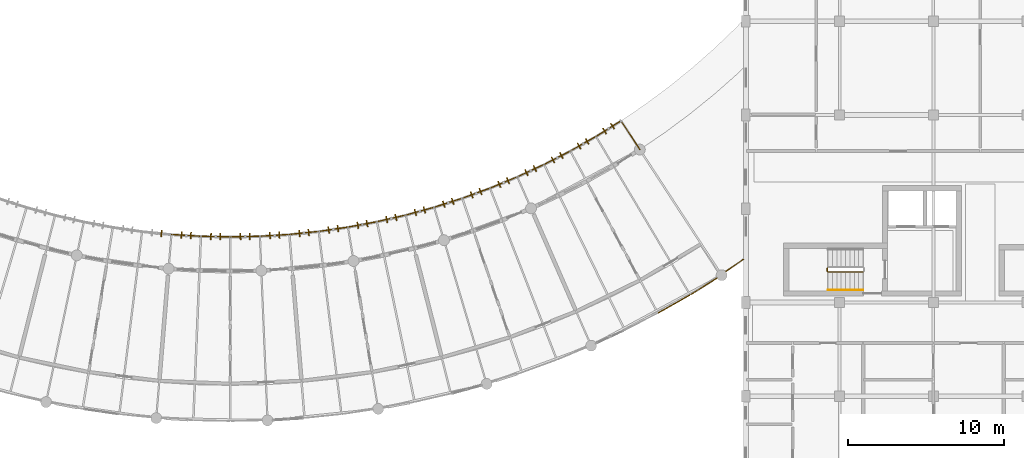
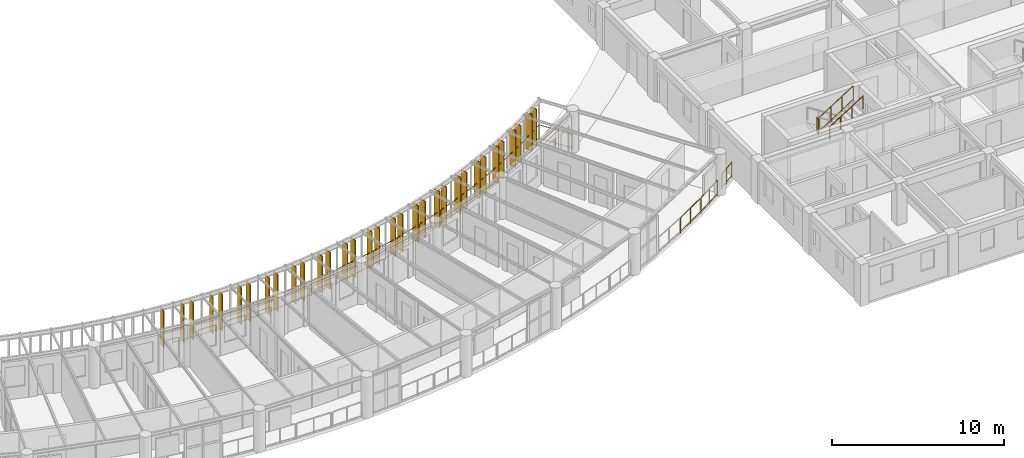
# One storey, part 92 of 100: 33 shading devices, 23 railings.
"""IFC4 building model written with IfcOpenShell, lengths in metres."""

from ifc_helpers import new_model, si_unit, direction, frame, origin, origin_2d, place, context, subcontext, project, spatial, rectangle, circle, extrude, material, layer, layer_set, type_object, element, save


model = new_model("IFC4")

# Units and contexts
model_context = context("Model", 3, precision=1e-05, world=origin(), true_north=direction((0.0, 1.0)))
body_context = subcontext(model_context, "Body", "Model", "MODEL_VIEW")
ifc_project = project(units=[si_unit("LENGTHUNIT", "METRE"), si_unit("AREAUNIT", "SQUARE_METRE"), si_unit("VOLUMEUNIT", "CUBIC_METRE"), si_unit("PLANEANGLEUNIT", "RADIAN"), si_unit("MASSUNIT", "GRAM", prefix="KILO"), si_unit("POWERUNIT", "WATT"), si_unit("THERMODYNAMICTEMPERATUREUNIT", "KELVIN")], contexts=[model_context])

# Site, building, storey
site_placement = place(None, origin())
site = spatial("IfcSite", under=ifc_project, at=site_placement, CompositionType="ELEMENT")
building_placement = place(site_placement, origin())
building = spatial("IfcBuilding", under=site, at=building_placement, Name="Ruvembo Vaulted Housing Court", CompositionType="ELEMENT")
storey_placement = place(building_placement, frame((0.0, 0.0, 10.89990234375)))
storey = spatial("IfcBuildingStorey", under=building, at=storey_placement, Name="L03", CompositionType="ELEMENT", Elevation=10.89990234375)

# Railings
ifc_material_1 = material(Name="Galvanised Painted Steel and Laminated Glass", Category="steel")
ifc_layer_1 = layer(ifc_material_1, 0.070068359375, Name="Galvanised Painted Steel and Laminated Glass")
ifc_layer_set_1 = layer_set([ifc_layer_1], Name="Galvanised Painted Steel and Laminated Glass")
railing_type_1 = type_object("IfcRailingType", Name="RL-BALUST-1120", PredefinedType="BALUSTRADE", material=ifc_layer_set_1)
railing_1_placement = place(storey_placement, frame((96.4072265625, 11.339599609375, 0.0)))
element("IfcRailing", 1, at=railing_1_placement, inside=storey, type_object=railing_type_1, Name="L03 Perimeter Guard RL-EXT-L03-0390", PredefinedType="BALUSTRADE", context=body_context, shape_type="SweptSolid", body=[
    extrude(circle(Radius=0.02392578125, at=origin_2d()), frame((0.0, 0.0, 1.09619140625), z_axis=(0.869960830337, 0.49312083071, 0.0), x_axis=(-0.49312083071, 0.869960830337, 0.0)), (0.0, 0.0, 1.0), 2.27587890625),
    extrude(circle(Radius=0.01806640625, at=origin_2d()), frame((0.0, 0.0, 0.1201171875), z_axis=(0.869960830337, 0.49312083071, 0.0), x_axis=(-0.49312083071, 0.869960830337, 0.0)), (0.0, 0.0, 1.0), 2.27587890625),
    extrude(circle(Radius=0.02099609375, at=origin_2d()), origin(), (0.0, 0.0, 1.0), 1.072021484375),
    extrude(circle(Radius=0.02099609375, at=origin_2d()), frame((0.989990234375, 0.56103515625, 0.0)), (0.0, 0.0, 1.0), 1.072021484375),
    extrude(circle(Radius=0.02099609375, at=origin_2d()), frame((1.97998046875, 1.122314453125, 0.0)), (0.0, 0.0, 1.0), 1.072021484375),
])
railing_2_placement = place(storey_placement, frame((98.47314453125, 12.512939453125, 0.0)))
element("IfcRailing", 2, at=railing_2_placement, inside=storey, type_object=railing_type_1, Name="L03 Perimeter Guard RL-EXT-L03-0391", PredefinedType="BALUSTRADE", context=body_context, shape_type="SweptSolid", body=[
    extrude(circle(Radius=0.02392578125, at=origin_2d()), frame((0.0, 0.0, 1.09619140625), z_axis=(0.848906322391, 0.528543333895, 0.0), x_axis=(-0.528543333895, 0.848906322391, 0.0)), (0.0, 0.0, 1.0), 1.97607421875),
    extrude(circle(Radius=0.01806640625, at=origin_2d()), frame((0.0, 0.0, 0.1201171875), z_axis=(0.848906322391, 0.528543333895, 0.0), x_axis=(-0.528543333895, 0.848906322391, 0.0)), (0.0, 0.0, 1.0), 1.97607421875),
    extrude(circle(Radius=0.02099609375, at=origin_2d()), origin(), (0.0, 0.0, 1.0), 1.072021484375),
    extrude(circle(Radius=0.02099609375, at=origin_2d()), frame((0.8388671875, 0.522216796875, 0.0)), (0.0, 0.0, 1.0), 1.072021484375),
    extrude(circle(Radius=0.02099609375, at=origin_2d()), frame((1.677490234375, 1.04443359375, 0.0)), (0.0, 0.0, 1.0), 1.072021484375),
])
ifc_material_2 = material(Name="Galvanised Painted Steel S275", Category="steel")
ifc_layer_2 = layer(ifc_material_2, 0.06005859375, Name="Galvanised Painted Steel S275")
ifc_layer_set_2 = layer_set([ifc_layer_2], Name="Galvanised Painted Steel S275")
railing_type_2 = type_object("IfcRailingType", Name="RL-GUARD-1100", PredefinedType="GUARDRAIL", material=ifc_layer_set_2)
railing_3_placement = place(storey_placement, frame((65.2255859375, 16.355712890625, 0.0)))
element("IfcRailing", 3, at=railing_3_placement, inside=storey, type_object=railing_type_2, Name="L03 Perimeter Guard RL-EXT-L03-0353", PredefinedType="GUARDRAIL", context=body_context, shape_type="SweptSolid", body=[
    extrude(circle(Radius=0.02392578125, at=origin_2d()), frame((0.0, 0.0, 1.076171875), z_axis=(0.998090110864, -0.061774837886, 0.0), x_axis=(0.061774837886, 0.998090110864, 0.0)), (0.0, 0.0, 1.0), 1.88916015625),
    extrude(circle(Radius=0.01806640625, at=origin_2d()), frame((0.0, 0.0, 0.1201171875), z_axis=(0.998090110864, -0.061774837886, 0.0), x_axis=(0.061774837886, 0.998090110864, 0.0)), (0.0, 0.0, 1.0), 1.88916015625),
    extrude(circle(Radius=0.02099609375, at=origin_2d()), origin(), (0.0, 0.0, 1.0), 1.052001953125),
    extrude(circle(Radius=0.02099609375, at=origin_2d()), frame((0.94287109375, -0.058349609375, 0.0)), (0.0, 0.0, 1.0), 1.052001953125),
    extrude(circle(Radius=0.02099609375, at=origin_2d()), frame((1.885498046875, -0.11669921875, 0.0)), (0.0, 0.0, 1.0), 1.052001953125),
])
railing_4_placement = place(storey_placement, frame((67.111083984375, 16.239013671875, 0.0)))
element("IfcRailing", 4, at=railing_4_placement, inside=storey, type_object=railing_type_2, Name="L03 Perimeter Guard RL-EXT-L03-0354", PredefinedType="GUARDRAIL", context=body_context, shape_type="SweptSolid", body=[
    extrude(circle(Radius=0.02392578125, at=origin_2d()), frame((0.0, 0.0, 1.076171875), z_axis=(0.99978624046, -0.020675429556, 0.0), x_axis=(0.020675429556, 0.99978624046, 0.0)), (0.0, 0.0, 1.0), 1.889404296875),
    extrude(circle(Radius=0.01806640625, at=origin_2d()), frame((0.0, 0.0, 0.1201171875), z_axis=(0.99978624046, -0.020675429556, 0.0), x_axis=(0.020675429556, 0.99978624046, 0.0)), (0.0, 0.0, 1.0), 1.889404296875),
    extrude(circle(Radius=0.02099609375, at=origin_2d()), origin(), (0.0, 0.0, 1.0), 1.052001953125),
    extrude(circle(Radius=0.02099609375, at=origin_2d()), frame((0.9443359375, -0.01953125, 0.0)), (0.0, 0.0, 1.0), 1.052001953125),
    extrude(circle(Radius=0.02099609375, at=origin_2d()), frame((1.888916015625, -0.0390625, 0.0)), (0.0, 0.0, 1.0), 1.052001953125),
])
railing_5_placement = place(storey_placement, frame((69.0, 16.199951171875, 0.0)))
element("IfcRailing", 5, at=railing_5_placement, inside=storey, type_object=railing_type_2, Name="L03 Perimeter Guard RL-EXT-L03-0355", PredefinedType="GUARDRAIL", context=body_context, shape_type="SweptSolid", body=[
    extrude(circle(Radius=0.02392578125, at=origin_2d()), frame((0.0, 0.0, 1.076171875), z_axis=(0.99978624046, 0.020675429556, 0.0), x_axis=(-0.020675429556, 0.99978624046, 0.0)), (0.0, 0.0, 1.0), 1.889404296875),
    extrude(circle(Radius=0.01806640625, at=origin_2d()), frame((0.0, 0.0, 0.1201171875), z_axis=(0.99978624046, 0.020675429556, 0.0), x_axis=(-0.020675429556, 0.99978624046, 0.0)), (0.0, 0.0, 1.0), 1.889404296875),
    extrude(circle(Radius=0.02099609375, at=origin_2d()), origin(), (0.0, 0.0, 1.0), 1.052001953125),
    extrude(circle(Radius=0.02099609375, at=origin_2d()), frame((0.9443359375, 0.01953125, 0.0)), (0.0, 0.0, 1.0), 1.052001953125),
    extrude(circle(Radius=0.02099609375, at=origin_2d()), frame((1.888916015625, 0.0390625, 0.0)), (0.0, 0.0, 1.0), 1.052001953125),
])
railing_6_placement = place(storey_placement, frame((70.888916015625, 16.239013671875, 0.0)))
element("IfcRailing", 6, at=railing_6_placement, inside=storey, type_object=railing_type_2, Name="L03 Perimeter Guard RL-EXT-L03-0356", PredefinedType="GUARDRAIL", context=body_context, shape_type="SweptSolid", body=[
    extrude(circle(Radius=0.02392578125, at=origin_2d()), frame((0.0, 0.0, 1.076171875), z_axis=(0.998090110864, 0.061774837886, 0.0), x_axis=(-0.061774837886, 0.998090110864, 0.0)), (0.0, 0.0, 1.0), 1.88916015625),
    extrude(circle(Radius=0.01806640625, at=origin_2d()), frame((0.0, 0.0, 0.1201171875), z_axis=(0.998090110864, 0.061774837886, 0.0), x_axis=(-0.061774837886, 0.998090110864, 0.0)), (0.0, 0.0, 1.0), 1.88916015625),
    extrude(circle(Radius=0.02099609375, at=origin_2d()), origin(), (0.0, 0.0, 1.0), 1.052001953125),
    extrude(circle(Radius=0.02099609375, at=origin_2d()), frame((0.94287109375, 0.058349609375, 0.0)), (0.0, 0.0, 1.0), 1.052001953125),
    extrude(circle(Radius=0.02099609375, at=origin_2d()), frame((1.885498046875, 0.11669921875, 0.0)), (0.0, 0.0, 1.0), 1.052001953125),
])
railing_7_placement = place(storey_placement, frame((72.7744140625, 16.355712890625, 0.0)))
element("IfcRailing", 7, at=railing_7_placement, inside=storey, type_object=railing_type_2, Name="L03 Perimeter Guard RL-EXT-L03-0357", PredefinedType="GUARDRAIL", context=body_context, shape_type="SweptSolid", body=[
    extrude(circle(Radius=0.02392578125, at=origin_2d()), frame((0.0, 0.0, 1.076171875), z_axis=(0.994683125416, 0.10298291127, 0.0), x_axis=(-0.10298291127, 0.994683125416, 0.0)), (0.0, 0.0, 1.0), 1.889404296875),
    extrude(circle(Radius=0.01806640625, at=origin_2d()), frame((0.0, 0.0, 0.1201171875), z_axis=(0.994683125416, 0.10298291127, 0.0), x_axis=(-0.10298291127, 0.994683125416, 0.0)), (0.0, 0.0, 1.0), 1.889404296875),
    extrude(circle(Radius=0.02099609375, at=origin_2d()), origin(), (0.0, 0.0, 1.0), 1.052001953125),
    extrude(circle(Radius=0.02099609375, at=origin_2d()), frame((0.939697265625, 0.09716796875, 0.0)), (0.0, 0.0, 1.0), 1.052001953125),
    extrude(circle(Radius=0.02099609375, at=origin_2d()), frame((1.87939453125, 0.194580078125, 0.0)), (0.0, 0.0, 1.0), 1.052001953125),
])
railing_8_placement = place(storey_placement, frame((74.65380859375, 16.55029296875, 0.0)))
element("IfcRailing", 8, at=railing_8_placement, inside=storey, type_object=railing_type_2, Name="L03 Perimeter Guard RL-EXT-L03-0358", PredefinedType="GUARDRAIL", context=body_context, shape_type="SweptSolid", body=[
    extrude(circle(Radius=0.02392578125, at=origin_2d()), frame((0.0, 0.0, 1.076171875), z_axis=(0.989600158039, 0.143845497701, 0.0), x_axis=(-0.143845497701, 0.989600158039, 0.0)), (0.0, 0.0, 1.0), 1.888916015625),
    extrude(circle(Radius=0.01806640625, at=origin_2d()), frame((0.0, 0.0, 0.1201171875), z_axis=(0.989600158039, 0.143845497701, 0.0), x_axis=(-0.143845497701, 0.989600158039, 0.0)), (0.0, 0.0, 1.0), 1.888916015625),
    extrude(circle(Radius=0.02099609375, at=origin_2d()), origin(), (0.0, 0.0, 1.0), 1.052001953125),
    extrude(circle(Radius=0.02099609375, at=origin_2d()), frame((0.9345703125, 0.1357421875, 0.0)), (0.0, 0.0, 1.0), 1.052001953125),
    extrude(circle(Radius=0.02099609375, at=origin_2d()), frame((1.869384765625, 0.271728515625, 0.0)), (0.0, 0.0, 1.0), 1.052001953125),
])
railing_9_placement = place(storey_placement, frame((76.523193359375, 16.822021484375, 0.0)))
element("IfcRailing", 9, at=railing_9_placement, inside=storey, type_object=railing_type_2, Name="L03 Perimeter Guard RL-EXT-L03-0359", PredefinedType="GUARDRAIL", context=body_context, shape_type="SweptSolid", body=[
    extrude(circle(Radius=0.02392578125, at=origin_2d()), frame((0.0, 0.0, 1.076171875), z_axis=(0.982804832401, 0.184647397515, 0.0), x_axis=(-0.184647397515, 0.982804832401, 0.0)), (0.0, 0.0, 1.0), 1.889404296875),
    extrude(circle(Radius=0.01806640625, at=origin_2d()), frame((0.0, 0.0, 0.1201171875), z_axis=(0.982804832401, 0.184647397515, 0.0), x_axis=(-0.184647397515, 0.982804832401, 0.0)), (0.0, 0.0, 1.0), 1.889404296875),
    extrude(circle(Radius=0.02099609375, at=origin_2d()), origin(), (0.0, 0.0, 1.0), 1.052001953125),
    extrude(circle(Radius=0.02099609375, at=origin_2d()), frame((0.928466796875, 0.17431640625, 0.0)), (0.0, 0.0, 1.0), 1.052001953125),
    extrude(circle(Radius=0.02099609375, at=origin_2d()), frame((1.85693359375, 0.348876953125, 0.0)), (0.0, 0.0, 1.0), 1.052001953125),
])
railing_10_placement = place(storey_placement, frame((78.380126953125, 17.1708984375, 0.0)))
element("IfcRailing", 10, at=railing_10_placement, inside=storey, type_object=railing_type_2, Name="L03 Perimeter Guard RL-EXT-L03-0360", PredefinedType="GUARDRAIL", context=body_context, shape_type="SweptSolid", body=[
    extrude(circle(Radius=0.02392578125, at=origin_2d()), frame((0.0, 0.0, 1.076171875), z_axis=(0.974391195695, 0.224859506699, 0.0), x_axis=(-0.224859506699, 0.974391195695, 0.0)), (0.0, 0.0, 1.0), 1.88916015625),
    extrude(circle(Radius=0.01806640625, at=origin_2d()), frame((0.0, 0.0, 0.1201171875), z_axis=(0.974391195695, 0.224859506699, 0.0), x_axis=(-0.224859506699, 0.974391195695, 0.0)), (0.0, 0.0, 1.0), 1.88916015625),
    extrude(circle(Radius=0.02099609375, at=origin_2d()), origin(), (0.0, 0.0, 1.0), 1.052001953125),
    extrude(circle(Radius=0.02099609375, at=origin_2d()), frame((0.92041015625, 0.21240234375, 0.0)), (0.0, 0.0, 1.0), 1.052001953125),
    extrude(circle(Radius=0.02099609375, at=origin_2d()), frame((1.8408203125, 0.4248046875, 0.0)), (0.0, 0.0, 1.0), 1.052001953125),
])
railing_11_placement = place(storey_placement, frame((80.220947265625, 17.595703125, 0.0)))
element("IfcRailing", 11, at=railing_11_placement, inside=storey, type_object=railing_type_2, Name="L03 Perimeter Guard RL-EXT-L03-0361", PredefinedType="GUARDRAIL", context=body_context, shape_type="SweptSolid", body=[
    extrude(circle(Radius=0.02392578125, at=origin_2d()), frame((0.0, 0.0, 1.076171875), z_axis=(0.964240073493, 0.26503033915, 0.0), x_axis=(-0.26503033915, 0.964240073493, 0.0)), (0.0, 0.0, 1.0), 1.889404296875),
    extrude(circle(Radius=0.01806640625, at=origin_2d()), frame((0.0, 0.0, 0.1201171875), z_axis=(0.964240073493, 0.26503033915, 0.0), x_axis=(-0.26503033915, 0.964240073493, 0.0)), (0.0, 0.0, 1.0), 1.889404296875),
    extrude(circle(Radius=0.02099609375, at=origin_2d()), origin(), (0.0, 0.0, 1.0), 1.052001953125),
    extrude(circle(Radius=0.02099609375, at=origin_2d()), frame((0.910888671875, 0.25048828125, 0.0)), (0.0, 0.0, 1.0), 1.052001953125),
    extrude(circle(Radius=0.02099609375, at=origin_2d()), frame((1.82177734375, 0.500732421875, 0.0)), (0.0, 0.0, 1.0), 1.052001953125),
])
railing_12_placement = place(storey_placement, frame((82.042724609375, 18.096435546875, 0.0)))
element("IfcRailing", 12, at=railing_12_placement, inside=storey, type_object=railing_type_2, Name="L03 Perimeter Guard RL-EXT-L03-0362", PredefinedType="GUARDRAIL", context=body_context, shape_type="SweptSolid", body=[
    extrude(circle(Radius=0.02392578125, at=origin_2d()), frame((0.0, 0.0, 1.076171875), z_axis=(0.952526124364, 0.304456864605, 0.0), x_axis=(-0.304456864605, 0.952526124364, 0.0)), (0.0, 0.0, 1.0), 1.88916015625),
    extrude(circle(Radius=0.01806640625, at=origin_2d()), frame((0.0, 0.0, 0.1201171875), z_axis=(0.952526124364, 0.304456864605, 0.0), x_axis=(-0.304456864605, 0.952526124364, 0.0)), (0.0, 0.0, 1.0), 1.88916015625),
    extrude(circle(Radius=0.02099609375, at=origin_2d()), origin(), (0.0, 0.0, 1.0), 1.052001953125),
    extrude(circle(Radius=0.02099609375, at=origin_2d()), frame((0.89990234375, 0.28759765625, 0.0)), (0.0, 0.0, 1.0), 1.052001953125),
    extrude(circle(Radius=0.02099609375, at=origin_2d()), frame((1.799560546875, 0.5751953125, 0.0)), (0.0, 0.0, 1.0), 1.052001953125),
])
railing_13_placement = place(storey_placement, frame((83.84228515625, 18.671630859375, 0.0)))
element("IfcRailing", 13, at=railing_13_placement, inside=storey, type_object=railing_type_2, Name="L03 Perimeter Guard RL-EXT-L03-0363", PredefinedType="GUARDRAIL", context=body_context, shape_type="SweptSolid", body=[
    extrude(circle(Radius=0.02392578125, at=origin_2d()), frame((0.0, 0.0, 1.076171875), z_axis=(0.939165556371, 0.343464783824, 0.0), x_axis=(-0.343464783824, 0.939165556371, 0.0)), (0.0, 0.0, 1.0), 1.889404296875),
    extrude(circle(Radius=0.01806640625, at=origin_2d()), frame((0.0, 0.0, 0.1201171875), z_axis=(0.939165556371, 0.343464783824, 0.0), x_axis=(-0.343464783824, 0.939165556371, 0.0)), (0.0, 0.0, 1.0), 1.889404296875),
    extrude(circle(Radius=0.02099609375, at=origin_2d()), origin(), (0.0, 0.0, 1.0), 1.052001953125),
    extrude(circle(Radius=0.02099609375, at=origin_2d()), frame((0.88720703125, 0.324462890625, 0.0)), (0.0, 0.0, 1.0), 1.052001953125),
    extrude(circle(Radius=0.02099609375, at=origin_2d()), frame((1.7744140625, 0.64892578125, 0.0)), (0.0, 0.0, 1.0), 1.052001953125),
])
railing_14_placement = place(storey_placement, frame((85.61669921875, 19.320556640625, 0.0)))
element("IfcRailing", 14, at=railing_14_placement, inside=storey, type_object=railing_type_2, Name="L03 Perimeter Guard RL-EXT-L03-0364", PredefinedType="GUARDRAIL", context=body_context, shape_type="SweptSolid", body=[
    extrude(circle(Radius=0.02392578125, at=origin_2d()), frame((0.0, 0.0, 1.076171875), z_axis=(0.924155321549, 0.38201693896, 0.0), x_axis=(-0.38201693896, 0.924155321549, 0.0)), (0.0, 0.0, 1.0), 1.88916015625),
    extrude(circle(Radius=0.01806640625, at=origin_2d()), frame((0.0, 0.0, 0.1201171875), z_axis=(0.924155321549, 0.38201693896, 0.0), x_axis=(-0.38201693896, 0.924155321549, 0.0)), (0.0, 0.0, 1.0), 1.88916015625),
    extrude(circle(Radius=0.02099609375, at=origin_2d()), origin(), (0.0, 0.0, 1.0), 1.052001953125),
    extrude(circle(Radius=0.02099609375, at=origin_2d()), frame((0.873046875, 0.36083984375, 0.0)), (0.0, 0.0, 1.0), 1.052001953125),
    extrude(circle(Radius=0.02099609375, at=origin_2d()), frame((1.745849609375, 0.7216796875, 0.0)), (0.0, 0.0, 1.0), 1.052001953125),
])
railing_15_placement = place(storey_placement, frame((87.362548828125, 20.042236328125, 0.0)))
element("IfcRailing", 15, at=railing_15_placement, inside=storey, type_object=railing_type_2, Name="L03 Perimeter Guard RL-EXT-L03-0365", PredefinedType="GUARDRAIL", context=body_context, shape_type="SweptSolid", body=[
    extrude(circle(Radius=0.02392578125, at=origin_2d()), frame((0.0, 0.0, 1.076171875), z_axis=(0.907656578832, 0.419713634403, 0.0), x_axis=(-0.419713634403, 0.907656578832, 0.0)), (0.0, 0.0, 1.0), 1.889404296875),
    extrude(circle(Radius=0.01806640625, at=origin_2d()), frame((0.0, 0.0, 0.1201171875), z_axis=(0.907656578832, 0.419713634403, 0.0), x_axis=(-0.419713634403, 0.907656578832, 0.0)), (0.0, 0.0, 1.0), 1.889404296875),
    extrude(circle(Radius=0.02099609375, at=origin_2d()), origin(), (0.0, 0.0, 1.0), 1.052001953125),
    extrude(circle(Radius=0.02099609375, at=origin_2d()), frame((0.857421875, 0.396484375, 0.0)), (0.0, 0.0, 1.0), 1.052001953125),
    extrude(circle(Radius=0.02099609375, at=origin_2d()), frame((1.71484375, 0.79296875, 0.0)), (0.0, 0.0, 1.0), 1.052001953125),
])
railing_16_placement = place(storey_placement, frame((89.077392578125, 20.835205078125, 0.0)))
element("IfcRailing", 16, at=railing_16_placement, inside=storey, type_object=railing_type_2, Name="L03 Perimeter Guard RL-EXT-L03-0366", PredefinedType="GUARDRAIL", context=body_context, shape_type="SweptSolid", body=[
    extrude(circle(Radius=0.02392578125, at=origin_2d()), frame((0.0, 0.0, 1.076171875), z_axis=(0.889568437347, 0.45680192127, 0.0), x_axis=(-0.45680192127, 0.889568437347, 0.0)), (0.0, 0.0, 1.0), 1.889404296875),
    extrude(circle(Radius=0.01806640625, at=origin_2d()), frame((0.0, 0.0, 0.1201171875), z_axis=(0.889568437347, 0.45680192127, 0.0), x_axis=(-0.45680192127, 0.889568437347, 0.0)), (0.0, 0.0, 1.0), 1.889404296875),
    extrude(circle(Radius=0.02099609375, at=origin_2d()), origin(), (0.0, 0.0, 1.0), 1.052001953125),
    extrude(circle(Radius=0.02099609375, at=origin_2d()), frame((0.84033203125, 0.431640625, 0.0)), (0.0, 0.0, 1.0), 1.052001953125),
    extrude(circle(Radius=0.02099609375, at=origin_2d()), frame((1.6806640625, 0.863037109375, 0.0)), (0.0, 0.0, 1.0), 1.052001953125),
])
railing_17_placement = place(storey_placement, frame((90.758056640625, 21.6982421875, 0.0)))
element("IfcRailing", 17, at=railing_17_placement, inside=storey, type_object=railing_type_2, Name="L03 Perimeter Guard RL-EXT-L03-0367", PredefinedType="GUARDRAIL", context=body_context, shape_type="SweptSolid", body=[
    extrude(circle(Radius=0.02392578125, at=origin_2d()), frame((0.0, 0.0, 1.076171875), z_axis=(0.869955662473, 0.493129947712, 0.0), x_axis=(-0.493129947712, 0.869955662473, 0.0)), (0.0, 0.0, 1.0), 1.88916015625),
    extrude(circle(Radius=0.01806640625, at=origin_2d()), frame((0.0, 0.0, 0.1201171875), z_axis=(0.869955662473, 0.493129947712, 0.0), x_axis=(-0.493129947712, 0.869955662473, 0.0)), (0.0, 0.0, 1.0), 1.88916015625),
    extrude(circle(Radius=0.02099609375, at=origin_2d()), origin(), (0.0, 0.0, 1.0), 1.052001953125),
    extrude(circle(Radius=0.02099609375, at=origin_2d()), frame((0.82177734375, 0.4658203125, 0.0)), (0.0, 0.0, 1.0), 1.052001953125),
    extrude(circle(Radius=0.02099609375, at=origin_2d()), frame((1.6435546875, 0.931640625, 0.0)), (0.0, 0.0, 1.0), 1.052001953125),
])
railing_18_placement = place(storey_placement, frame((92.401611328125, 22.6298828125, 0.0)))
element("IfcRailing", 18, at=railing_18_placement, inside=storey, type_object=railing_type_2, Name="L03 Perimeter Guard RL-EXT-L03-0368", PredefinedType="GUARDRAIL", context=body_context, shape_type="SweptSolid", body=[
    extrude(circle(Radius=0.02392578125, at=origin_2d()), frame((0.0, 0.0, 1.076171875), z_axis=(0.848904567119, 0.52854615307, 0.0), x_axis=(-0.52854615307, 0.848904567119, 0.0)), (0.0, 0.0, 1.0), 1.88916015625),
    extrude(circle(Radius=0.01806640625, at=origin_2d()), frame((0.0, 0.0, 0.1201171875), z_axis=(0.848904567119, 0.52854615307, 0.0), x_axis=(-0.52854615307, 0.848904567119, 0.0)), (0.0, 0.0, 1.0), 1.88916015625),
    extrude(circle(Radius=0.02099609375, at=origin_2d()), origin(), (0.0, 0.0, 1.0), 1.052001953125),
    extrude(circle(Radius=0.02099609375, at=origin_2d()), frame((0.8017578125, 0.499267578125, 0.0)), (0.0, 0.0, 1.0), 1.052001953125),
    extrude(circle(Radius=0.02099609375, at=origin_2d()), frame((1.603759765625, 0.99853515625, 0.0)), (0.0, 0.0, 1.0), 1.052001953125),
])
railing_19_placement = place(storey_placement, frame((94.00537109375, 23.62841796875, 0.0)))
element("IfcRailing", 19, at=railing_19_placement, inside=storey, type_object=railing_type_2, Name="L03 Perimeter Guard RL-EXT-L03-0369", PredefinedType="GUARDRAIL", context=body_context, shape_type="SweptSolid", body=[
    extrude(circle(Radius=0.02392578125, at=origin_2d()), frame((0.0, 0.0, 1.076171875), z_axis=(0.546013859183, -0.837776142881, 0.0), x_axis=(0.837776142881, 0.546013859183, 0.0)), (0.0, 0.0, 1.0), 2.199951171875),
    extrude(circle(Radius=0.01806640625, at=origin_2d()), frame((0.0, 0.0, 0.1201171875), z_axis=(0.546013859183, -0.837776142881, 0.0), x_axis=(0.837776142881, 0.546013859183, 0.0)), (0.0, 0.0, 1.0), 2.199951171875),
    extrude(circle(Radius=0.02099609375, at=origin_2d()), origin(), (0.0, 0.0, 1.0), 1.052001953125),
    extrude(circle(Radius=0.02099609375, at=origin_2d()), frame((0.6005859375, -0.92138671875, 0.0)), (0.0, 0.0, 1.0), 1.052001953125),
    extrude(circle(Radius=0.02099609375, at=origin_2d()), frame((1.201171875, -1.843017578125, 0.0)), (0.0, 0.0, 1.0), 1.052001953125),
])
railing_20_placement = place(storey_placement, frame((101.824951171875, 14.75341796875, 0.0)))
element("IfcRailing", 20, at=railing_20_placement, inside=storey, type_object=railing_type_2, Name="L03 Perimeter Guard RL-EXT-L03-0911", PredefinedType="GUARDRAIL", context=body_context, shape_type="SweptSolid", body=[
    extrude(circle(Radius=0.02392578125, at=origin_2d()), frame((0.0, 0.0, 1.076171875), z_axis=(-0.826420361982, -0.5630536256, 0.0), x_axis=(0.5630536256, -0.826420361982, 0.0)), (0.0, 0.0, 1.0), 1.337646484375),
    extrude(circle(Radius=0.01806640625, at=origin_2d()), frame((0.0, 0.0, 0.1201171875), z_axis=(-0.826420361982, -0.5630536256, 0.0), x_axis=(0.5630536256, -0.826420361982, 0.0)), (0.0, 0.0, 1.0), 1.337646484375),
    extrude(circle(Radius=0.02099609375, at=origin_2d()), origin(), (0.0, 0.0, 1.0), 1.052001953125),
    extrude(circle(Radius=0.02099609375, at=origin_2d()), frame((-0.552734375, -0.37646484375, 0.0)), (0.0, 0.0, 1.0), 1.052001953125),
    extrude(circle(Radius=0.02099609375, at=origin_2d()), frame((-1.10546875, -0.753173828125, 0.0)), (0.0, 0.0, 1.0), 1.052001953125),
])
ifc_material_3 = material(Name="Painted Galvanised Steel S275", Category="steel")
ifc_layer_3 = layer(ifc_material_3, 0.06005859375, Name="Painted Galvanised Steel S275")
ifc_layer_set_3 = layer_set([ifc_layer_3], Name="Painted Galvanised Steel S275")
railing_type_3 = type_object("IfcRailingType", Name="RL-STAIR-GR1100", PredefinedType="GUARDRAIL", material=ifc_layer_set_3)
railing_21_placement = place(storey_placement, frame((107.2099609375, 14.199951171875, 1.60009765625)))
element("IfcRailing", 21, at=railing_21_placement, inside=storey, type_object=railing_type_3, Name="L03 ST-C1 stair guard 2", PredefinedType="GUARDRAIL", context=body_context, shape_type="SweptSolid", body=[
    extrude(circle(Radius=0.02392578125, at=origin_2d()), frame((0.0, 0.0, 1.076171875), z_axis=(0.0, -1.0, 0.0), x_axis=(1.0, 0.0, 0.0)), (0.0, 0.0, 1.0), 0.199951171875),
    extrude(circle(Radius=0.01806640625, at=origin_2d()), frame((0.0, 0.0, 0.1201171875), z_axis=(0.0, -1.0, 0.0), x_axis=(1.0, 0.0, 0.0)), (0.0, 0.0, 1.0), 0.199951171875),
    extrude(circle(Radius=0.02099609375, at=origin_2d()), origin(), (0.0, 0.0, 1.0), 1.052001953125),
    extrude(circle(Radius=0.02099609375, at=origin_2d()), frame((0.0, -0.199951171875, 0.0)), (0.0, 0.0, 1.0), 1.052001953125),
])
railing_22_placement = place(storey_placement, frame((107.260009765625, 13.949951171875, 1.77783203125)))
element("IfcRailing", 22, at=railing_22_placement, inside=storey, type_object=railing_type_3, Name="L03 ST-C1 stair guard 3", PredefinedType="GUARDRAIL", context=body_context, shape_type="SweptSolid", body=[
    extrude(circle(Radius=0.02392578125, at=origin_2d()), frame((0.0, 0.0, 1.076171875), z_axis=(0.84418770128, 0.0, 0.536047689118), x_axis=(0.0, 1.0, 0.0)), (0.0, 0.0, 1.0), 2.6533203125),
    extrude(circle(Radius=0.01806640625, at=origin_2d()), frame((0.0, 0.0, 0.1201171875), z_axis=(0.84418770128, 0.0, 0.536047689118), x_axis=(0.0, 1.0, 0.0)), (0.0, 0.0, 1.0), 2.6533203125),
    extrude(circle(Radius=0.02099609375, at=origin_2d()), origin(), (0.0, 0.0, 1.0), 1.052001953125),
    extrude(circle(Radius=0.02099609375, at=origin_2d()), frame((0.74658203125, 0.0, 0.47412109375)), (0.0, 0.0, 1.0), 1.052001953125),
    extrude(circle(Radius=0.02099609375, at=origin_2d()), frame((1.493408203125, 0.0, 0.9482421875)), (0.0, 0.0, 1.0), 1.052001953125),
    extrude(circle(Radius=0.02099609375, at=origin_2d()), frame((2.239990234375, 0.0, 1.42236328125)), (0.0, 0.0, 1.0), 1.052001953125),
])
ifc_material_4 = material(Name="Brushed Stainless Steel 304", Category="steel")
ifc_layer_4 = layer(ifc_material_4, 0.050048828125, Name="Brushed Stainless Steel 304")
ifc_layer_set_4 = layer_set([ifc_layer_4], Name="Brushed Stainless Steel 304")
railing_type_4 = type_object("IfcRailingType", Name="RL-STAIR-HR920", PredefinedType="HANDRAIL", material=ifc_layer_set_4)
railing_23_placement = place(storey_placement, frame((107.260009765625, 12.800048828125, 1.95947265625)))
element("IfcRailing", 23, at=railing_23_placement, inside=storey, type_object=railing_type_4, Name="L03 ST-C1 stair handrail 2", PredefinedType="HANDRAIL", context=body_context, shape_type="SweptSolid", body=[
    extrude(circle(Radius=0.02392578125, at=origin_2d()), frame((0.0, 0.0, 0.8759765625), z_axis=(0.8442293374, 0.0, 0.53598211339), x_axis=(0.0, 1.0, 0.0)), (0.0, 0.0, 1.0), 2.6533203125),
    extrude(circle(Radius=0.02099609375, at=origin_2d()), origin(), (0.0, 0.0, 1.0), 0.851806640625),
    extrude(circle(Radius=0.02099609375, at=origin_2d()), frame((0.74658203125, 0.0, 0.47412109375)), (0.0, 0.0, 1.0), 0.851806640625),
    extrude(circle(Radius=0.02099609375, at=origin_2d()), frame((1.493408203125, 0.0, 0.947998046875)), (0.0, 0.0, 1.0), 0.851806640625),
    extrude(circle(Radius=0.02099609375, at=origin_2d()), frame((2.239990234375, 0.0, 1.422119140625)), (0.0, 0.0, 1.0), 0.851806640625),
])

# Shading devices
ifc_material_5 = material(Name="Kiln-Fired Terracotta Extrusion", Category="masonry")
shading_device_type = type_object("IfcShadingDeviceType", Name="SHD-FIN-420", PredefinedType="USERDEFINED", material=ifc_material_5)
for number, where, z_axis, x_axis, name in (
    (24, (64.584228515625, 16.422119140625, 0.050048828125), (0.0, 0.0, 1.0), (-0.102948783072, -0.994686658232, 0.0), "Terracotta Brise-Soleil Fin #326"),
    (25, (65.868896484375, 16.31591796875, 0.050048828125), (0.0, 0.0, 1.0), (-0.061832453863, -0.998086543166, 0.0), "Terracotta Brise-Soleil Fin #327"),
    (26, (66.4677734375, 16.27880859375, 0.050048828125), (0.0, 0.0, 1.0), (-0.061832453863, -0.998086543166, 0.0), "Terracotta Brise-Soleil Fin #328"),
    (27, (67.755615234375, 16.2255859375, 0.050048828125), (0.0, 0.0, 1.0), (-0.020645778066, -0.999786853208, 0.0), "Terracotta Brise-Soleil Fin #329"),
    (28, (68.35546875, 16.21337890625, 0.050048828125), (0.0, 0.0, 1.0), (-0.020645778066, -0.999786853208, 0.0), "Terracotta Brise-Soleil Fin #330"),
    (29, (69.64453125, 16.21337890625, 0.050048828125), (0.0, 0.0, 1.0), (0.020645778066, -0.999786853208, 0.0), "Terracotta Brise-Soleil Fin #331"),
    (30, (70.244384765625, 16.2255859375, 0.050048828125), (0.0, 0.0, 1.0), (0.020645778066, -0.999786853208, 0.0), "Terracotta Brise-Soleil Fin #332"),
    (31, (71.5322265625, 16.27880859375, 0.050048828125), (0.0, 0.0, 1.0), (0.061832453863, -0.998086543166, 0.0), "Terracotta Brise-Soleil Fin #333"),
    (32, (72.131103515625, 16.31591796875, 0.050048828125), (0.0, 0.0, 1.0), (0.061832453863, -0.998086543166, 0.0), "Terracotta Brise-Soleil Fin #334"),
    (33, (73.415771484375, 16.422119140625, 0.050048828125), (0.0, 0.0, 1.0), (0.102948783072, -0.994686658232, 0.0), "Terracotta Brise-Soleil Fin #335"),
    (34, (74.012451171875, 16.48388671875, 0.050048828125), (0.0, 0.0, 1.0), (0.102948783072, -0.994686658232, 0.0), "Terracotta Brise-Soleil Fin #336"),
    (35, (75.29150390625, 16.64306640625, 0.050048828125), (0.0, 0.0, 1.0), (0.143872610257, -0.989596216655, 0.0), "Terracotta Brise-Soleil Fin #337"),
    (36, (75.885498046875, 16.7294921875, 0.050048828125), (0.0, 0.0, 1.0), (0.143872610257, -0.989596216655, 0.0), "Terracotta Brise-Soleil Fin #338"),
    (37, (77.156982421875, 16.941162109375, 0.050048828125), (0.0, 0.0, 1.0), (0.184568910756, -0.982819575091, 0.0), "Terracotta Brise-Soleil Fin #339"),
    (38, (77.74658203125, 17.0517578125, 0.050048828125), (0.0, 0.0, 1.0), (0.184568910756, -0.982819575091, 0.0), "Terracotta Brise-Soleil Fin #340"),
    (39, (79.00830078125, 17.31591796875, 0.050048828125), (0.0, 0.0, 1.0), (0.224951054344, -0.974370064785, 0.0), "Terracotta Brise-Soleil Fin #341"),
    (40, (79.593017578125, 17.45068359375, 0.050048828125), (0.0, 0.0, 1.0), (0.224951054344, -0.974370064785, 0.0), "Terracotta Brise-Soleil Fin #342"),
    (41, (80.842529296875, 17.7666015625, 0.050048828125), (0.0, 0.0, 1.0), (0.264983965035, -0.96425281865, 0.0), "Terracotta Brise-Soleil Fin #343"),
    (42, (81.421142578125, 17.925537109375, 0.050048828125), (0.0, 0.0, 1.0), (0.264983965035, -0.96425281865, 0.0), "Terracotta Brise-Soleil Fin #344"),
    (43, (82.65673828125, 18.292724609375, 0.050048828125), (0.0, 0.0, 1.0), (0.304448708958, -0.952528731122, 0.0), "Terracotta Brise-Soleil Fin #345"),
    (44, (83.228271484375, 18.475341796875, 0.050048828125), (0.0, 0.0, 1.0), (0.304448708958, -0.952528731122, 0.0), "Terracotta Brise-Soleil Fin #346"),
    (45, (84.44775390625, 18.89306640625, 0.050048828125), (0.0, 0.0, 1.0), (0.343512177766, -0.939148222447, 0.0), "Terracotta Brise-Soleil Fin #347"),
    (46, (85.01123046875, 19.09912109375, 0.050048828125), (0.0, 0.0, 1.0), (0.343512177766, -0.939148222447, 0.0), "Terracotta Brise-Soleil Fin #348"),
    (47, (86.21240234375, 19.56689453125, 0.050048828125), (0.0, 0.0, 1.0), (0.381957701122, -0.924179806398, 0.0), "Terracotta Brise-Soleil Fin #349"),
    (48, (86.766845703125, 19.7958984375, 0.050048828125), (0.0, 0.0, 1.0), (0.381957701122, -0.924179806398, 0.0), "Terracotta Brise-Soleil Fin #350"),
    (49, (87.94775390625, 20.312744140625, 0.050048828125), (0.0, 0.0, 1.0), (0.419737248448, -0.90764565898, 0.0), "Terracotta Brise-Soleil Fin #351"),
    (50, (88.4921875, 20.564697265625, 0.050048828125), (0.0, 0.0, 1.0), (0.419737248448, -0.90764565898, 0.0), "Terracotta Brise-Soleil Fin #352"),
    (51, (89.65087890625, 21.129638671875, 0.050048828125), (0.0, 0.0, 1.0), (0.456849537333, -0.889543984432, 0.0), "Terracotta Brise-Soleil Fin #353"),
    (52, (90.1845703125, 21.40380859375, 0.050048828125), (0.0, 0.0, 1.0), (0.456849537333, -0.889543984432, 0.0), "Terracotta Brise-Soleil Fin #354"),
    (53, (91.31884765625, 22.01611328125, 0.050048828125), (0.0, 0.0, 1.0), (0.493106983922, -0.86996867898, 0.0), "Terracotta Brise-Soleil Fin #355"),
    (54, (91.8408203125, 22.31201171875, 0.050048828125), (0.0, 0.0, 1.0), (0.493106983922, -0.86996867898, 0.0), "Terracotta Brise-Soleil Fin #356"),
    (55, (92.94873046875, 22.970703125, 0.050048828125), (0.0, 0.0, 1.0), (0.528556868381, -0.848897895443, 0.0), "Terracotta Brise-Soleil Fin #357"),
    (56, (93.458251953125, 23.287841796875, 0.050048828125), (0.0, 0.0, 1.0), (0.528556868381, -0.848897895443, 0.0), "Terracotta Brise-Soleil Fin #358"),
):
    element("IfcShadingDevice", number, at=place(storey_placement, frame(where, z_axis=z_axis, x_axis=x_axis)), inside=storey, type_object=shading_device_type, Name=name, ObjectType="FIN", PredefinedType="USERDEFINED", context=body_context, shape_type="SweptSolid", body=[
        extrude(rectangle(XDim=0.419921875, YDim=0.06494140625, at=origin_2d()), origin(), (0.0, 0.0, 1.0), 2.60302734375),
    ])

save(model, "model.ifc")
